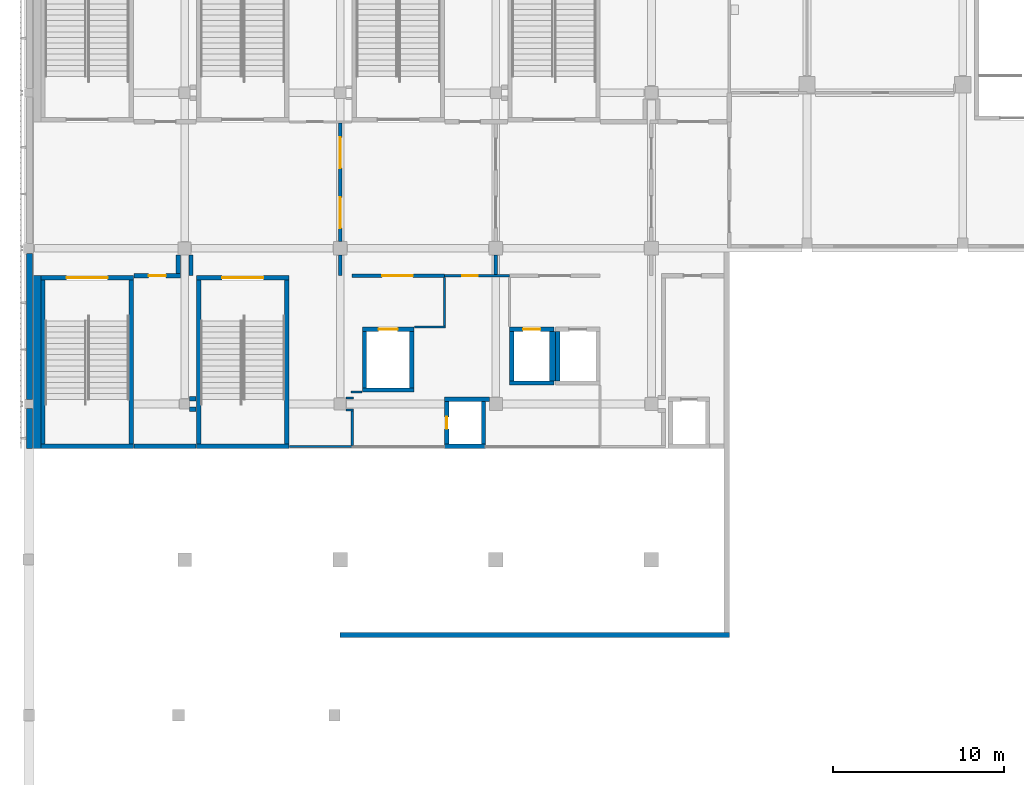
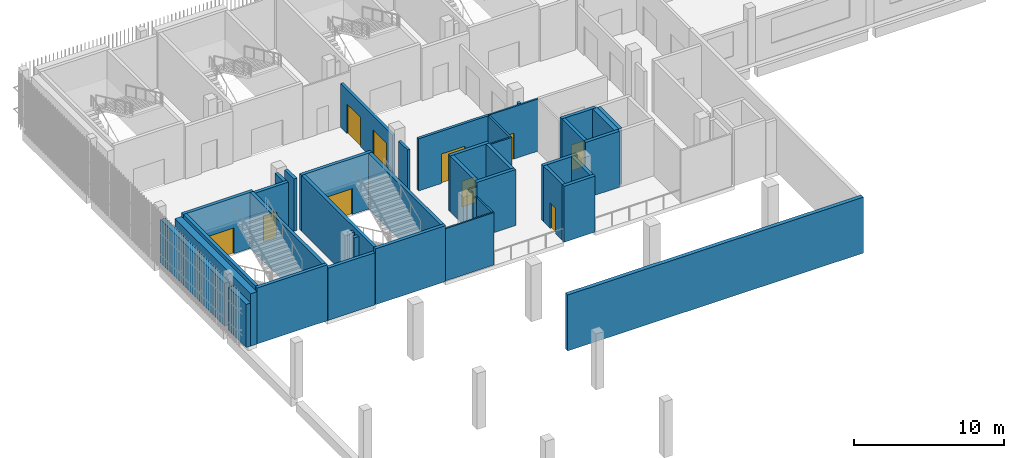
# One storey, part 60 of 104: 43 walls, 10 doors, 10 openings.
"""IFC4 building model written with IfcOpenShell, lengths in metres."""

import ifcopenshell
import ifcopenshell.guid

model = None  # the IFC model being written
_history = None  # IfcOwnerHistory: only IFC2X3 demands one
_inside = {}  # id of a spatial element -> (the spatial element, [elements in it])
_under = {}  # id of a project, library or spatial element -> (it, [spatial elements below it])
_declared = {}  # id of a project -> (the project, [libraries it declares])
_typed = {}  # id of a type object -> (the type object, [elements of that type])
_made_of = {}  # id of a material, layer set ... -> (it, [elements and type objects made of it])


def new_model(schema):
    """Start an empty IFC model of exactly this schema.

    Asked for "IFC4X3", IfcOpenShell would pick the latest addendum, in which some entities
    have other attributes; the version numbers below select the first issue.
    IFC2X3 requires an IfcOwnerHistory on every rooted entity: one is made here for all.
    """
    global model, _history
    if schema == "IFC4X3":
        model = ifcopenshell.file(schema_version=(4, 3, 0, 0))
    else:
        model = ifcopenshell.file(schema=schema)
    _inside.clear()
    _under.clear()
    _declared.clear()
    _typed.clear()
    _made_of.clear()
    _history = None
    if model.schema == "IFC2X3":
        org = make("IfcOrganization", Name="unknown")
        user = make(
            "IfcPersonAndOrganization",
            ThePerson=make("IfcPerson", FamilyName="unknown"),
            TheOrganization=org,
        )
        app = make(
            "IfcApplication",
            ApplicationDeveloper=org,
            Version="unknown",
            ApplicationFullName="unknown",
            ApplicationIdentifier="unknown",
        )
        _history = make(
            "IfcOwnerHistory",
            OwningUser=user,
            OwningApplication=app,
            ChangeAction="ADDED",
            CreationDate=0,
        )
    return model


def make(cls, **values):
    """One entity of the class cls with the attributes given. An attribute that is None is left unset."""
    return model.create_entity(
        cls, **{name: value for name, value in values.items() if value is not None}
    )


def rooted(cls, **values):
    """An entity with a GlobalId (a new one), such as an element, a storey or a relation."""
    return make(cls, GlobalId=ifcopenshell.guid.new(), OwnerHistory=_history, **values)


def si_unit(unit_type, name, prefix=None):
    """IfcSIUnit, for example si_unit("LENGTHUNIT", "METRE", prefix="MILLI")."""
    return make("IfcSIUnit", UnitType=unit_type, Prefix=prefix, Name=name)


def assignment(units):
    """IfcUnitAssignment: the units of a project."""
    return None if units is None else make("IfcUnitAssignment", Units=units)


def point(xyz):
    """IfcCartesianPoint."""
    return None if xyz is None else make("IfcCartesianPoint", Coordinates=xyz)


def direction(xyz):
    """IfcDirection."""
    return None if xyz is None else make("IfcDirection", DirectionRatios=xyz)


def frame(location, z_axis=None, x_axis=None):
    """IfcAxis2Placement3D, a coordinate frame: its origin and axes. An axis left out is left unset."""
    return make(
        "IfcAxis2Placement3D",
        Location=point(location),
        Axis=direction(z_axis),
        RefDirection=direction(x_axis),
    )


def frame_2d(location, x_axis=None):
    """IfcAxis2Placement2D, a coordinate frame in the plane: its origin and x axis."""
    return make(
        "IfcAxis2Placement2D", Location=point(location), RefDirection=direction(x_axis)
    )


def origin():
    """The frame at (0, 0, 0) with its axes left unset."""
    return frame((0.0, 0.0, 0.0))


def place(relative_to, where):
    """IfcLocalPlacement: puts the frame where relative to a parent placement (None: the world)."""
    return make(
        "IfcLocalPlacement", PlacementRelTo=relative_to, RelativePlacement=where
    )


def context(
    kind, dimensions, precision=None, world=None, true_north=None, identifier=None
):
    """IfcGeometricRepresentationContext, for example the 3D "Model" context."""
    return make(
        "IfcGeometricRepresentationContext",
        ContextIdentifier=identifier,
        ContextType=kind,
        CoordinateSpaceDimension=dimensions,
        Precision=precision,
        WorldCoordinateSystem=world,
        TrueNorth=true_north,
    )


def subcontext(parent, identifier, kind, view, scale=None):
    """IfcGeometricRepresentationSubContext, for example "Body" below "Model"."""
    return make(
        "IfcGeometricRepresentationSubContext",
        ContextIdentifier=identifier,
        ContextType=kind,
        ParentContext=parent,
        TargetScale=scale,
        TargetView=view,
    )


def project(units=None, contexts=None):
    """IfcProject with its units and contexts."""
    return rooted(
        "IfcProject",
        Name="project",
        RepresentationContexts=contexts,
        UnitsInContext=assignment(units),
    )


def spatial(cls, under=None, at=None, **own):
    """A site, building, storey or space (cls), placed at a placement, below another one or the project."""
    s = rooted(cls, ObjectPlacement=at, **own)
    if under is not None:
        _under.setdefault(under.id(), (under, []))[1].append(s)
    return s


def profile(cls, at=None, kind="AREA", **sizes):
    """A parametric profile (cls). Its sizes go by their IFC names, for example OverallWidth=200.0."""
    return make(cls, ProfileType=kind, Position=at, **sizes)


def rectangle(**sizes):
    """IfcRectangleProfileDef."""
    return profile("IfcRectangleProfileDef", **sizes)


def extrude(swept, where, along, depth):
    """IfcExtrudedAreaSolid: the profile swept, set in the frame where, extruded along a direction by depth."""
    return make(
        "IfcExtrudedAreaSolid",
        SweptArea=swept,
        Position=where,
        ExtrudedDirection=direction(along),
        Depth=depth,
    )


def shape(context_of_items, identifier, shape_type, items):
    """IfcShapeRepresentation: the items that make up one representation, for example the "Body"."""
    return make(
        "IfcShapeRepresentation",
        ContextOfItems=context_of_items,
        RepresentationIdentifier=identifier,
        RepresentationType=shape_type,
        Items=items,
    )


def material(Name=None, Category=None):
    """IfcMaterial."""
    return make("IfcMaterial", Name=Name, Category=Category)


def layer(
    of_material, thickness, ventilated=None, Name=None, Category=None, Priority=None
):
    """IfcMaterialLayer: one layer of a wall or slab, of a material (None: an air gap)."""
    return make(
        "IfcMaterialLayer",
        Material=of_material,
        LayerThickness=thickness,
        IsVentilated=ventilated,
        Name=Name,
        Category=Category,
        Priority=Priority,
    )


def layer_set(layers, Name=None):
    """IfcMaterialLayerSet."""
    return make("IfcMaterialLayerSet", MaterialLayers=layers, LayerSetName=Name)


def made_of(thing, what):
    """Note that an element or type object is made of a material, layer set ...; save() writes the relation."""
    if what is not None:
        _made_of.setdefault(what.id(), (what, []))[1].append(thing)
    return thing


def type_object(cls, material=None, **own):
    """A type object (cls), such as IfcWallType, which elements share."""
    return made_of(rooted(cls, **own), material)


def element(
    cls,
    number,
    at=None,
    inside=None,
    cuts=None,
    type_object=None,
    material=None,
    context=None,
    identifier="Body",
    shape_type=None,
    held_by="IfcProductDefinitionShape",
    body=None,
    shapes=None,
    **own,
):
    """One element of the class cls, such as IfcWall. Its Tag is "e" and its number.

    at: its placement. inside: the storey or other place that contains it. cuts: it is an
    opening in that element (IfcRelVoidsElement). A single representation is given by context,
    identifier, shape_type and body (its items); several are given by shapes. held_by: the class
    of the entity that holds the representations. save() writes the other relations.
    """
    e = rooted(cls, Tag="e%d" % number, ObjectPlacement=at, **own)
    if body is not None:
        shapes = [shape(context, identifier, shape_type, body)]
    if shapes is not None:
        e.Representation = make(held_by, Representations=shapes)
    if inside is not None:
        _inside.setdefault(inside.id(), (inside, []))[1].append(e)
    if cuts is not None:
        rooted(
            "IfcRelVoidsElement", RelatingBuildingElement=cuts, RelatedOpeningElement=e
        )
    if type_object is not None:
        _typed.setdefault(type_object.id(), (type_object, []))[1].append(e)
    return made_of(e, material)


def fill(opening, filler):
    """IfcRelFillsElement: the door or window that sits in an opening."""
    return rooted(
        "IfcRelFillsElement",
        RelatingOpeningElement=opening,
        RelatedBuildingElement=filler,
    )


def aggregate(whole, parts):
    """IfcRelAggregates: a whole, such as a stair, and the parts it consists of."""
    return rooted("IfcRelAggregates", RelatingObject=whole, RelatedObjects=parts)


def save(model, path):
    """Write the relations noted so far, then the file.

    IfcRelAggregates (storeys below a building ...), IfcRelContainedInSpatialStructure (elements
    in a storey), IfcRelDefinesByType, IfcRelAssociatesMaterial and IfcRelDeclares: one each for
    every whole, place, type object, material and project.
    """
    for whole, parts in _under.values():
        aggregate(whole, parts)
    for where, things in _inside.values():
        rooted(
            "IfcRelContainedInSpatialStructure",
            RelatedElements=things,
            RelatingStructure=where,
        )
    for kind, things in _typed.values():
        rooted("IfcRelDefinesByType", RelatedObjects=things, RelatingType=kind)
    for what, things in _made_of.values():
        rooted("IfcRelAssociatesMaterial", RelatedObjects=things, RelatingMaterial=what)
    for by, libraries in _declared.values():
        rooted("IfcRelDeclares", RelatingContext=by, RelatedDefinitions=libraries)
    model.write(path)


model = new_model("IFC4")

# Units and contexts
model_context = context("Model", 3, precision=1e-05, world=origin(), true_north=direction((0.0, 1.0)))
body_context = subcontext(model_context, "Body", "Model", "MODEL_VIEW")
ifc_project = project(units=[si_unit("LENGTHUNIT", "METRE"), si_unit("AREAUNIT", "SQUARE_METRE"), si_unit("VOLUMEUNIT", "CUBIC_METRE"), si_unit("PLANEANGLEUNIT", "RADIAN"), si_unit("MASSUNIT", "GRAM", prefix="KILO")], contexts=[model_context])

# Site, building, storey
site_placement = place(None, origin())
site = spatial("IfcSite", under=ifc_project, at=site_placement, CompositionType="ELEMENT")
building_placement = place(site_placement, origin())
building = spatial("IfcBuilding", under=site, at=building_placement, Name="Shirokan Park Arena", CompositionType="ELEMENT")
storey_placement = place(building_placement, frame((0.0, 0.0, 10.919921875)))
storey = spatial("IfcBuildingStorey", under=building, at=storey_placement, Name="L02", CompositionType="ELEMENT", Elevation=10.919921875)

# Wall
ifc_material_1 = material(Name="Plaster")
ifc_layer_1 = layer(ifc_material_1, 0.014892578125, Name="Plaster")
ifc_material_2 = material(Name="Concrete blockwork", Category="masonry")
ifc_layer_2 = layer(ifc_material_2, 0.219970703125, Name="Concrete blockwork 220")
ifc_layer_3 = layer(ifc_material_1, 0.014892578125, Name="Plaster")
ifc_layer_set_1 = layer_set([ifc_layer_1, ifc_layer_2, ifc_layer_3], Name="Plaster + Concrete blockwork 220")
wall_type_1 = type_object("IfcWallType", Name="Compartment wall 250", PredefinedType="SOLIDWALL", material=ifc_layer_set_1)
wall_1_placement = place(storey_placement, frame((8.72509765625, 90.625, 0.0), z_axis=(0.0, 0.0, 1.0), x_axis=(0.0, -1.0, 0.0)))
element("IfcWall", 1, at=wall_1_placement, inside=storey, type_object=wall_type_1, Name="Compartment wall 250 L02", PredefinedType="SOLIDWALL", context=body_context, shape_type="SweptSolid", body=[
    extrude(rectangle(XDim=1.10009765625, YDim=0.25, at=frame_2d((0.550048828125, 0.0))), origin(), (0.0, 0.0, 1.0), 4.25),
])

# Wall, opening, door
wall_2_placement = place(storey_placement, frame((8.85009765625, 89.39990234375, 0.0), z_axis=(0.0, 0.0, 1.0), x_axis=(-1.0, 0.0, 0.0)))
wall_2 = element("IfcWall", 2, at=wall_2_placement, inside=storey, type_object=wall_type_1, Name="Compartment wall 250 L02", PredefinedType="SOLIDWALL", context=body_context, shape_type="SweptSolid", body=[
    extrude(rectangle(XDim=2.72021484375, YDim=0.25, at=frame_2d((1.360107421875, 0.0))), origin(), (0.0, 0.0, 1.0), 4.25),
])
opening_1_placement = place(wall_2_placement, frame((0.85009765625, 0.0, 0.0)))
opening_1 = element("IfcOpeningElement", 3, at=opening_1_placement, cuts=wall_2, Name="Opening D-2024", PredefinedType="OPENING", context=body_context, shape_type="SweptSolid", body=[
    extrude(rectangle(XDim=1.0, YDim=2.10009765625, at=frame_2d((0.5, 1.050048828125))), frame((0.0, 0.135009765625, 0.0), z_axis=(0.0, -1.0, 0.0), x_axis=(1.0, 0.0, 0.0)), (0.0, 0.0, 1.0), 0.27001953125),
])
ifc_material_3 = material(Name="Timber door set, fire resisting", Category="wood")
door_type_1 = type_object("IfcDoorType", Name="Door 1000 x 2100", OperationType="SINGLE_SWING_LEFT", PredefinedType="DOOR", material=ifc_material_3)
door_1_placement = place(opening_1_placement, origin())
door_1 = element("IfcDoor", 4, at=door_1_placement, inside=storey, type_object=door_type_1, Name="Door to Club Linen Store 2.47 D-2024", OperationType="SINGLE_SWING_RIGHT", OverallHeight=2.10009765625, OverallWidth=1.0, PredefinedType="DOOR", context=body_context, shape_type="SweptSolid", body=[
    extrude(rectangle(XDim=1.0, YDim=2.10009765625, at=frame_2d((0.5, 1.050048828125))), frame((0.0, 0.02490234375, 0.0), z_axis=(0.0, -1.0, 0.0), x_axis=(1.0, 0.0, 0.0)), (0.0, 0.0, 1.0), 0.050048828125),
])
fill(opening_1, door_1)

# Walls
wall_3_placement = place(storey_placement, frame((9.39990234375, 81.60009765625, 0.0), z_axis=(0.0, 0.0, 1.0), x_axis=(1.0, 0.0, 0.0)))
element("IfcWall", 5, at=wall_3_placement, inside=storey, type_object=wall_type_1, Name="Compartment wall 250 L02", PredefinedType="SOLIDWALL", context=body_context, shape_type="SweptSolid", body=[
    extrude(rectangle(XDim=0.3701171875, YDim=0.25, at=frame_2d((0.18505859375, 0.0))), origin(), (0.0, 0.0, 1.0), 4.25),
])
wall_4_placement = place(storey_placement, frame((9.47509765625, 89.39990234375, 0.0), z_axis=(0.0, 0.0, 1.0), x_axis=(0.0, 1.0, 0.0)))
element("IfcWall", 6, at=wall_4_placement, inside=storey, type_object=wall_type_1, Name="Compartment wall 250 L02", PredefinedType="SOLIDWALL", context=body_context, shape_type="SweptSolid", body=[
    extrude(rectangle(XDim=1.22509765625, YDim=0.25, at=frame_2d((0.612548828125, 0.0))), origin(), (0.0, 0.0, 1.0), 4.25),
])
wall_5_placement = place(storey_placement, frame((9.77001953125, 79.425048828125, 0.0), z_axis=(0.0, 0.0, 1.0), x_axis=(-1.0, 0.0, 0.0)))
element("IfcWall", 7, at=wall_5_placement, inside=storey, type_object=wall_type_1, Name="Compartment wall 250 L02", PredefinedType="SOLIDWALL", context=body_context, shape_type="SweptSolid", body=[
    extrude(rectangle(XDim=3.64013671875, YDim=0.25, at=frame_2d((1.820068359375, 0.0))), origin(), (0.0, 0.0, 1.0), 4.25),
])
wall_6_placement = place(storey_placement, frame((9.77001953125, 82.199951171875, 0.0), z_axis=(0.0, 0.0, 1.0), x_axis=(-1.0, 0.0, 0.0)))
element("IfcWall", 8, at=wall_6_placement, inside=storey, type_object=wall_type_1, Name="Compartment wall 250 L02", PredefinedType="SOLIDWALL", context=body_context, shape_type="SweptSolid", body=[
    extrude(rectangle(XDim=0.3701171875, YDim=0.25, at=frame_2d((0.18505859375, 0.0))), origin(), (0.0, 0.0, 1.0), 4.25),
])
ifc_material_4 = material(Name="Gypsum board")
ifc_layer_4 = layer(ifc_material_4, 0.02490234375, Name="Gypsum board, two layers")
ifc_material_5 = material(Name="Mineral wool insulation")
ifc_layer_5 = layer(ifc_material_5, 0.14990234375, Name="Mineral wool insulation")
ifc_layer_6 = layer(ifc_material_4, 0.02490234375, Name="Gypsum board, two layers")
ifc_layer_set_2 = layer_set([ifc_layer_4, ifc_layer_5, ifc_layer_6], Name="Gypsum board, two layers + Mineral wool insulation")
wall_type_2 = type_object("IfcWallType", Name="Corridor wall 200", PredefinedType="PARTITIONING", material=ifc_layer_set_2)
wall_7_placement = place(storey_placement, frame((18.199951171875, 90.60009765625, 0.0), z_axis=(0.0, 0.0, 1.0), x_axis=(0.0, -1.0, 0.0)))
element("IfcWall", 9, at=wall_7_placement, inside=storey, type_object=wall_type_2, Name="Corridor wall 200 L02", PredefinedType="PARTITIONING", context=body_context, shape_type="SweptSolid", body=[
    extrude(rectangle(XDim=1.2001953125, YDim=0.199951171875, at=frame_2d((0.60009765625, 0.0))), origin(), (0.0, 0.0, 1.0), 3.550048828125),
])

# Wall, openings, doors
wall_8_placement = place(storey_placement, frame((18.199951171875, 98.33740234375, 0.0), z_axis=(0.0, 0.0, 1.0), x_axis=(0.0, -1.0, 0.0)))
wall_8 = element("IfcWall", 10, at=wall_8_placement, inside=storey, type_object=wall_type_2, Name="Corridor wall 200 L02", PredefinedType="PARTITIONING", context=body_context, shape_type="SweptSolid", body=[
    extrude(rectangle(XDim=6.9375, YDim=0.199951171875, at=frame_2d((3.46875, 0.0))), origin(), (0.0, 0.0, 1.0), 3.550048828125),
])
opening_2_placement = place(wall_8_placement, frame((0.85009765625, 0.0, 0.0)))
opening_2 = element("IfcOpeningElement", 11, at=opening_2_placement, cuts=wall_8, Name="Opening D-2073", PredefinedType="OPENING", context=body_context, shape_type="SweptSolid", body=[
    extrude(rectangle(XDim=1.800048828125, YDim=2.39990234375, at=frame_2d((0.89990234375, 1.199951171875))), frame((0.0, 0.10986328125, 0.0), z_axis=(0.0, -1.0, 0.0), x_axis=(1.0, 0.0, 0.0)), (0.0, 0.0, 1.0), 0.219970703125),
])
opening_3_placement = place(wall_8_placement, frame((4.35009765625, 0.0, 0.0)))
opening_3 = element("IfcOpeningElement", 12, at=opening_3_placement, cuts=wall_8, Name="Opening D-2074", PredefinedType="OPENING", context=body_context, shape_type="SweptSolid", body=[
    extrude(rectangle(XDim=1.800048828125, YDim=2.39990234375, at=frame_2d((0.89990234375, 1.199951171875))), frame((0.0, 0.10986328125, 0.0), z_axis=(0.0, -1.0, 0.0), x_axis=(1.0, 0.0, 0.0)), (0.0, 0.0, 1.0), 0.219970703125),
])
ifc_material_6 = material(Name="Glazed steel door set, fire resisting", Category="steel")
door_type_2 = type_object("IfcDoorType", Name="Lift lobby door 1800 x 2400", OperationType="DOUBLE_DOOR_SINGLE_SWING", PredefinedType="DOOR", material=ifc_material_6)
door_2_placement = place(opening_2_placement, origin())
door_2 = element("IfcDoor", 13, at=door_2_placement, inside=storey, type_object=door_type_2, Name="Door between Club Foyer 4.2.1 and Club Reception 4.2.2 D-2073", OperationType="DOUBLE_DOOR_SINGLE_SWING", OverallHeight=2.39990234375, OverallWidth=1.800048828125, PredefinedType="DOOR", context=body_context, shape_type="SweptSolid", body=[
    extrude(rectangle(XDim=1.800048828125, YDim=2.39990234375, at=frame_2d((0.89990234375, 1.199951171875))), frame((0.0, 0.02490234375, 0.0), z_axis=(0.0, -1.0, 0.0), x_axis=(1.0, 0.0, 0.0)), (0.0, 0.0, 1.0), 0.050048828125),
])
fill(opening_2, door_2)
door_3_placement = place(opening_3_placement, origin())
door_3 = element("IfcDoor", 14, at=door_3_placement, inside=storey, type_object=door_type_2, Name="Door between Club Foyer 4.2.1 and Club Reception 4.2.2 D-2074", OperationType="DOUBLE_DOOR_SINGLE_SWING", OverallHeight=2.39990234375, OverallWidth=1.800048828125, PredefinedType="DOOR", context=body_context, shape_type="SweptSolid", body=[
    extrude(rectangle(XDim=1.800048828125, YDim=2.39990234375, at=frame_2d((0.89990234375, 1.199951171875))), frame((0.0, 0.02490234375, 0.0), z_axis=(0.0, -1.0, 0.0), x_axis=(1.0, 0.0, 0.0)), (0.0, 0.0, 1.0), 0.050048828125),
])
fill(opening_3, door_3)

# Wall, opening, door
wall_9_placement = place(storey_placement, frame((24.300048828125, 89.39990234375, 0.0), z_axis=(0.0, 0.0, 1.0), x_axis=(-1.0, 0.0, 0.0)))
wall_9 = element("IfcWall", 15, at=wall_9_placement, inside=storey, type_object=wall_type_2, Name="Corridor wall 200 L02", PredefinedType="PARTITIONING", context=body_context, shape_type="SweptSolid", body=[
    extrude(rectangle(XDim=5.400146484375, YDim=0.199951171875, at=frame_2d((2.7001953125, 0.0))), origin(), (0.0, 0.0, 1.0), 4.25),
])
opening_4_placement = place(wall_9_placement, frame((1.85009765625, 0.0, 0.0)))
opening_4 = element("IfcOpeningElement", 16, at=opening_4_placement, cuts=wall_9, Name="Opening D-2077", PredefinedType="OPENING", context=body_context, shape_type="SweptSolid", body=[
    extrude(rectangle(XDim=1.800048828125, YDim=2.39990234375, at=frame_2d((0.89990234375, 1.199951171875))), frame((0.0, 0.10986328125, 0.0), z_axis=(0.0, -1.0, 0.0), x_axis=(1.0, 0.0, 0.0)), (0.0, 0.0, 1.0), 0.219970703125),
])
door_4_placement = place(opening_4_placement, origin())
door_4 = element("IfcDoor", 17, at=door_4_placement, inside=storey, type_object=door_type_2, Name="Door between Club Reception 4.2.2 and Service Lift Lobby 4.2 D-2077", OperationType="DOUBLE_DOOR_SINGLE_SWING", OverallHeight=2.39990234375, OverallWidth=1.800048828125, PredefinedType="DOOR", context=body_context, shape_type="SweptSolid", body=[
    extrude(rectangle(XDim=1.800048828125, YDim=2.39990234375, at=frame_2d((0.89990234375, 1.199951171875))), frame((0.0, 0.02490234375, 0.0), z_axis=(0.0, -1.0, 0.0), x_axis=(1.0, 0.0, 0.0)), (0.0, 0.0, 1.0), 0.050048828125),
])
fill(opening_4, door_4)

# Walls
wall_10_placement = place(storey_placement, frame((27.300048828125, 90.60009765625, 0.0), z_axis=(0.0, 0.0, 1.0), x_axis=(0.0, -1.0, 0.0)))
element("IfcWall", 18, at=wall_10_placement, inside=storey, type_object=wall_type_2, Name="Corridor wall 200 L02", PredefinedType="PARTITIONING", context=body_context, shape_type="SweptSolid", body=[
    extrude(rectangle(XDim=1.1376953125, YDim=0.199951171875, at=frame_2d((0.56884765625, 0.0))), origin(), (0.0, 0.0, 1.0), 3.550048828125),
])
ifc_material_7 = material(Name="Cedar cladding")
ifc_layer_7 = layer(ifc_material_7, 0.030029296875, Name="Cedar cladding")
ifc_layer_8 = layer(ifc_material_5, 0.10009765625, Name="Mineral wool insulation")
ifc_material_8 = material(Name="Concrete C35", Category="concrete")
ifc_layer_9 = layer(ifc_material_8, 0.199951171875, Name="Concrete C35")
ifc_material_9 = material(Name="Gypsum board lining")
ifc_layer_10 = layer(ifc_material_9, 0.02001953125, Name="Gypsum board lining")
ifc_layer_set_3 = layer_set([ifc_layer_7, ifc_layer_8, ifc_layer_9, ifc_layer_10], Name="Cedar cladding + Mineral wool insulation + Concrete C35 + Gypsum board lining")
wall_type_3 = type_object("IfcWallType", Name="Insulated tower wall 350", PredefinedType="SOLIDWALL", material=ifc_layer_set_3)
wall_11_placement = place(storey_placement, frame((0.02490234375, 90.699951171875, 0.0), z_axis=(0.0, 0.0, 1.0), x_axis=(0.0, -1.0, 0.0)))
element("IfcWall", 19, at=wall_11_placement, inside=storey, type_object=wall_type_3, Name="West facade wall bay 3 L02", PredefinedType="SOLIDWALL", context=body_context, shape_type="SweptSolid", body=[
    extrude(rectangle(XDim=8.550048828125, YDim=0.35009765625, at=frame_2d((4.27490234375, 0.0))), origin(), (0.0, 0.0, 1.0), 3.5),
])
wall_12_placement = place(storey_placement, frame((0.02490234375, 81.64990234375, 0.0), z_axis=(0.0, 0.0, 1.0), x_axis=(0.0, -1.0, 0.0)))
element("IfcWall", 20, at=wall_12_placement, inside=storey, type_object=wall_type_3, Name="West facade wall bay 4 L02", PredefinedType="SOLIDWALL", context=body_context, shape_type="SweptSolid", body=[
    extrude(rectangle(XDim=2.349853515625, YDim=0.35009765625, at=frame_2d((1.1748046875, 0.0))), origin(), (0.0, 0.0, 1.0), 3.5),
])
ifc_layer_11 = layer(ifc_material_8, 0.300048828125)
ifc_layer_set_4 = layer_set([ifc_layer_11], Name="Concrete C35 300 mm")
wall_type_4 = type_object("IfcWallType", Name="RC flank wall 300", PredefinedType="SHEAR", material=ifc_layer_set_4)
wall_13_placement = place(storey_placement, frame((40.949951171875, 68.39990234375, 0.0), z_axis=(0.0, 0.0, 1.0), x_axis=(-1.0, 0.0, 0.0)))
element("IfcWall", 21, at=wall_13_placement, inside=storey, type_object=wall_type_4, Name="Flank wall W2 L02", PredefinedType="SHEAR", context=body_context, shape_type="SweptSolid", body=[
    extrude(rectangle(XDim=22.75, YDim=0.300048828125, at=frame_2d((11.375, 0.0))), origin(), (0.0, 0.0, 1.0), 4.550048828125),
])
ifc_material_10 = material(Name="Concrete C40/50", Category="concrete")
ifc_layer_12 = layer(ifc_material_10, 0.25)
ifc_layer_set_5 = layer_set([ifc_layer_12], Name="Concrete C40/50 250 mm")
wall_type_5 = type_object("IfcWallType", Name="RC shear wall 250", PredefinedType="SHEAR", material=ifc_layer_set_5)
wall_14_placement = place(storey_placement, frame((30.699951171875, 83.125, 0.0), z_axis=(0.0, 0.0, 1.0), x_axis=(-1.0, 0.0, 0.0)))
element("IfcWall", 22, at=wall_14_placement, inside=storey, type_object=wall_type_5, Name="Shaft wall Passenger Lift 4.1 S L02", PredefinedType="SHEAR", context=body_context, shape_type="SweptSolid", body=[
    extrude(rectangle(XDim=2.599853515625, YDim=0.25, at=frame_2d((1.2998046875, 0.0))), origin(), (0.0, 0.0, 1.0), 4.550048828125),
])

# Wall, opening, door
wall_15_placement = place(storey_placement, frame((30.699951171875, 86.27490234375, 0.0), z_axis=(0.0, 0.0, 1.0), x_axis=(-1.0, 0.0, 0.0)))
wall_15 = element("IfcWall", 23, at=wall_15_placement, inside=storey, type_object=wall_type_5, Name="Shaft wall Passenger Lift 4.1 N L02", PredefinedType="SHEAR", context=body_context, shape_type="SweptSolid", body=[
    extrude(rectangle(XDim=2.599853515625, YDim=0.25, at=frame_2d((1.2998046875, 0.0))), origin(), (0.0, 0.0, 1.0), 4.550048828125),
])
opening_5_placement = place(wall_15_placement, frame((0.800048828125, 0.0, 0.0)))
opening_5 = element("IfcOpeningElement", 24, at=opening_5_placement, cuts=wall_15, Name="Opening LD39", PredefinedType="OPENING", context=body_context, shape_type="SweptSolid", body=[
    extrude(rectangle(XDim=1.0, YDim=2.10009765625, at=frame_2d((0.5, 1.050048828125))), frame((0.0, 0.135009765625, 0.0), z_axis=(0.0, -1.0, 0.0), x_axis=(1.0, 0.0, 0.0)), (0.0, 0.0, 1.0), 0.27001953125),
])
ifc_material_11 = material(Name="Stainless steel", Category="steel")
door_type_3 = type_object("IfcDoorType", Name="Lift landing door 1000x2100", OperationType="DOUBLE_DOOR_SLIDING", PredefinedType="DOOR", material=ifc_material_11)
door_5_placement = place(opening_5_placement, origin())
door_5 = element("IfcDoor", 25, at=door_5_placement, inside=storey, type_object=door_type_3, Name="Lift landing door Passenger Lift 4.1 L02", OperationType="DOUBLE_DOOR_SLIDING", OverallHeight=2.10009765625, OverallWidth=1.0, PredefinedType="DOOR", context=body_context, shape_type="SweptSolid", body=[
    extrude(rectangle(XDim=1.0, YDim=2.10009765625, at=frame_2d((0.5, 1.050048828125))), frame((0.0, 0.02490234375, 0.0), z_axis=(0.0, -1.0, 0.0), x_axis=(1.0, 0.0, 0.0)), (0.0, 0.0, 1.0), 0.050048828125),
])
fill(opening_5, door_5)

# Walls
for number, where, z_axis, x_axis, name in (
    (26, (28.22509765625, 86.14990234375, 0.0), (0.0, 0.0, 1.0), (0.0, -1.0, 0.0), "Shaft wall Passenger Lift 4.1 W L02"),
    (27, (30.925048828125, 86.14990234375, 0.0), (0.0, 0.0, 1.0), (0.0, -1.0, 0.0), "Shaft wall Passenger Lift 4.2 W L02"),
):
    element("IfcWall", number, at=place(storey_placement, frame(where, z_axis=z_axis, x_axis=x_axis)), inside=storey, type_object=wall_type_5, Name=name, PredefinedType="SHEAR", context=body_context, shape_type="SweptSolid", body=[
        extrude(rectangle(XDim=2.89990234375, YDim=0.25, at=frame_2d((1.449951171875, 0.0))), origin(), (0.0, 0.0, 1.0), 4.550048828125),
    ])
wall_16_placement = place(storey_placement, frame((26.699951171875, 79.425048828125, 0.0), z_axis=(0.0, 0.0, 1.0), x_axis=(-1.0, 0.0, 0.0)))
element("IfcWall", 28, at=wall_16_placement, inside=storey, type_object=wall_type_5, Name="Shaft wall Services Riser 4.2 S L02", PredefinedType="SHEAR", context=body_context, shape_type="SweptSolid", body=[
    extrude(rectangle(XDim=2.39990234375, YDim=0.25, at=frame_2d((1.199951171875, 0.0))), origin(), (0.0, 0.0, 1.0), 4.550048828125),
])
wall_17_placement = place(storey_placement, frame((26.925048828125, 82.175048828125, 0.0), z_axis=(0.0, 0.0, 1.0), x_axis=(-1.0, 0.0, 0.0)))
element("IfcWall", 29, at=wall_17_placement, inside=storey, type_object=wall_type_5, Name="Shaft wall Services Riser 4.2 N L02", PredefinedType="SHEAR", context=body_context, shape_type="SweptSolid", body=[
    extrude(rectangle(XDim=2.625, YDim=0.25, at=frame_2d((1.3125, 0.0))), origin(), (0.0, 0.0, 1.0), 4.550048828125),
])

# Wall, opening, door
wall_18_placement = place(storey_placement, frame((24.425048828125, 82.050048828125, 0.0), z_axis=(0.0, 0.0, 1.0), x_axis=(0.0, -1.0, 0.0)))
wall_18 = element("IfcWall", 30, at=wall_18_placement, inside=storey, type_object=wall_type_5, Name="Shaft wall Services Riser 4.2 W L02", PredefinedType="SHEAR", context=body_context, shape_type="SweptSolid", body=[
    extrude(rectangle(XDim=2.5, YDim=0.25, at=frame_2d((1.25, 0.0))), origin(), (0.0, 0.0, 1.0), 4.550048828125),
])
opening_6_placement = place(wall_18_placement, frame((0.89990234375, 0.0, 0.0)))
opening_6 = element("IfcOpeningElement", 31, at=opening_6_placement, cuts=wall_18, Name="Opening D-2090", PredefinedType="OPENING", context=body_context, shape_type="SweptSolid", body=[
    extrude(rectangle(XDim=0.699951171875, YDim=2.10009765625, at=frame_2d((0.35009765625, 1.050048828125))), frame((0.0, 0.135009765625, 0.0), z_axis=(0.0, -1.0, 0.0), x_axis=(1.0, 0.0, 0.0)), (0.0, 0.0, 1.0), 0.27001953125),
])
ifc_material_12 = material(Name="Steel door set, fire resisting", Category="steel")
door_type_4 = type_object("IfcDoorType", Name="Mechanical riser door 700 x 2100", OperationType="SINGLE_SWING_LEFT", PredefinedType="DOOR", material=ifc_material_12)
door_6_placement = place(opening_6_placement, origin())
door_6 = element("IfcDoor", 32, at=door_6_placement, inside=storey, type_object=door_type_4, Name="Riser access door Services Riser 4.2 D-2090", OperationType="SINGLE_SWING_LEFT", OverallHeight=2.10009765625, OverallWidth=0.699951171875, PredefinedType="DOOR", context=body_context, shape_type="SweptSolid", body=[
    extrude(rectangle(XDim=0.699951171875, YDim=2.10009765625, at=frame_2d((0.35009765625, 1.050048828125))), frame((0.0, 0.02490234375, 0.0), z_axis=(0.0, -1.0, 0.0), x_axis=(1.0, 0.0, 0.0)), (0.0, 0.0, 1.0), 0.050048828125),
])
fill(opening_6, door_6)

# Walls
wall_19_placement = place(storey_placement, frame((26.574951171875, 82.050048828125, 0.0), z_axis=(0.0, 0.0, 1.0), x_axis=(0.0, -1.0, 0.0)))
element("IfcWall", 33, at=wall_19_placement, inside=storey, type_object=wall_type_5, Name="Shaft wall Services Riser 4.2 E L02", PredefinedType="SHEAR", context=body_context, shape_type="SweptSolid", body=[
    extrude(rectangle(XDim=2.5, YDim=0.25, at=frame_2d((1.25, 0.0))), origin(), (0.0, 0.0, 1.0), 4.550048828125),
])
wall_20_placement = place(storey_placement, frame((22.5, 82.72509765625, 0.0), z_axis=(0.0, 0.0, 1.0), x_axis=(-1.0, 0.0, 0.0)))
element("IfcWall", 34, at=wall_20_placement, inside=storey, type_object=wall_type_5, Name="Shaft wall Service Lift 4 S L02", PredefinedType="SHEAR", context=body_context, shape_type="SweptSolid", body=[
    extrude(rectangle(XDim=3.0, YDim=0.25, at=frame_2d((1.5, 0.0))), origin(), (0.0, 0.0, 1.0), 4.550048828125),
])

# Wall, opening, door
wall_21_placement = place(storey_placement, frame((22.5, 86.27490234375, 0.0), z_axis=(0.0, 0.0, 1.0), x_axis=(-1.0, 0.0, 0.0)))
wall_21 = element("IfcWall", 35, at=wall_21_placement, inside=storey, type_object=wall_type_5, Name="Shaft wall Service Lift 4 N L02", PredefinedType="SHEAR", context=body_context, shape_type="SweptSolid", body=[
    extrude(rectangle(XDim=3.0, YDim=0.25, at=frame_2d((1.5, 0.0))), origin(), (0.0, 0.0, 1.0), 4.550048828125),
])
opening_7_placement = place(wall_21_placement, frame((0.949951171875, 0.0, 0.0)))
opening_7 = element("IfcOpeningElement", 36, at=opening_7_placement, cuts=wall_21, Name="Opening LD72", PredefinedType="OPENING", context=body_context, shape_type="SweptSolid", body=[
    extrude(rectangle(XDim=1.10009765625, YDim=2.10009765625, at=frame_2d((0.550048828125, 1.050048828125))), frame((0.0, 0.135009765625, 0.0), z_axis=(0.0, -1.0, 0.0), x_axis=(1.0, 0.0, 0.0)), (0.0, 0.0, 1.0), 0.27001953125),
])
door_type_5 = type_object("IfcDoorType", Name="Lift landing door 1100x2100", OperationType="DOUBLE_DOOR_SLIDING", PredefinedType="DOOR", material=ifc_material_11)
door_7_placement = place(opening_7_placement, origin())
door_7 = element("IfcDoor", 37, at=door_7_placement, inside=storey, type_object=door_type_5, Name="Lift landing door Service Lift 4 L02", OperationType="DOUBLE_DOOR_SLIDING", OverallHeight=2.10009765625, OverallWidth=1.10009765625, PredefinedType="DOOR", context=body_context, shape_type="SweptSolid", body=[
    extrude(rectangle(XDim=1.10009765625, YDim=2.10009765625, at=frame_2d((0.550048828125, 1.050048828125))), frame((0.0, 0.02490234375, 0.0), z_axis=(0.0, -1.0, 0.0), x_axis=(1.0, 0.0, 0.0)), (0.0, 0.0, 1.0), 0.050048828125),
])
fill(opening_7, door_7)

# Walls
for number, where, z_axis, x_axis, name in (
    (38, (19.625, 86.14990234375, 0.0), (0.0, 0.0, 1.0), (0.0, -1.0, 0.0), "Shaft wall Service Lift 4 W L02"),
    (39, (22.375, 86.14990234375, 0.0), (0.0, 0.0, 1.0), (0.0, -1.0, 0.0), "Shaft wall Service Lift 4 E L02"),
):
    element("IfcWall", number, at=place(storey_placement, frame(where, z_axis=z_axis, x_axis=x_axis)), inside=storey, type_object=wall_type_5, Name=name, PredefinedType="SHEAR", context=body_context, shape_type="SweptSolid", body=[
        extrude(rectangle(XDim=3.2998046875, YDim=0.25, at=frame_2d((1.64990234375, 0.0))), origin(), (0.0, 0.0, 1.0), 4.550048828125),
    ])
wall_22_placement = place(storey_placement, frame((6.10009765625, 79.425048828125, 0.0), z_axis=(0.0, 0.0, 1.0), x_axis=(-1.0, 0.0, 0.0)))
element("IfcWall", 40, at=wall_22_placement, inside=storey, type_object=wall_type_5, Name="Shaft wall Exit Stair 4.E S L02", PredefinedType="SHEAR", context=body_context, shape_type="SweptSolid", body=[
    extrude(rectangle(XDim=5.400146484375, YDim=0.25, at=frame_2d((2.7001953125, 0.0))), origin(), (0.0, 0.0, 1.0), 4.550048828125),
])

# Wall, opening, door
wall_23_placement = place(storey_placement, frame((6.10009765625, 89.27490234375, 0.0), z_axis=(0.0, 0.0, 1.0), x_axis=(-1.0, 0.0, 0.0)))
wall_23 = element("IfcWall", 41, at=wall_23_placement, inside=storey, type_object=wall_type_5, Name="Shaft wall Exit Stair 4.E N L02", PredefinedType="SHEAR", context=body_context, shape_type="SweptSolid", body=[
    extrude(rectangle(XDim=5.400146484375, YDim=0.25, at=frame_2d((2.7001953125, 0.0))), origin(), (0.0, 0.0, 1.0), 4.550048828125),
])
opening_8_placement = place(wall_23_placement, frame((1.5, 0.0, 0.0)))
opening_8 = element("IfcOpeningElement", 42, at=opening_8_placement, cuts=wall_23, Name="Opening D-2104", PredefinedType="OPENING", context=body_context, shape_type="SweptSolid", body=[
    extrude(rectangle(XDim=2.39990234375, YDim=2.10009765625, at=frame_2d((1.199951171875, 1.050048828125))), frame((0.0, 0.135009765625, 0.0), z_axis=(0.0, -1.0, 0.0), x_axis=(1.0, 0.0, 0.0)), (0.0, 0.0, 1.0), 0.27001953125),
])
door_type_6 = type_object("IfcDoorType", Name="Stair door 2400 x 2100", OperationType="DOUBLE_DOOR_SINGLE_SWING", PredefinedType="DOOR", material=ifc_material_12)
door_8_placement = place(opening_8_placement, origin())
door_8 = element("IfcDoor", 43, at=door_8_placement, inside=storey, type_object=door_type_6, Name="Stair door Exit Stair 4.E D-2104", OperationType="DOUBLE_DOOR_SINGLE_SWING", OverallHeight=2.10009765625, OverallWidth=2.39990234375, PredefinedType="DOOR", context=body_context, shape_type="SweptSolid", body=[
    extrude(rectangle(XDim=2.39990234375, YDim=2.10009765625, at=frame_2d((1.199951171875, 1.050048828125))), frame((0.0, 0.02490234375, 0.0), z_axis=(0.0, -1.0, 0.0), x_axis=(1.0, 0.0, 0.0)), (0.0, 0.0, 1.0), 0.050048828125),
])
fill(opening_8, door_8)

# Walls
for number, where, z_axis, x_axis, name in (
    (44, (0.824951171875, 89.14990234375, 0.0), (0.0, 0.0, 1.0), (0.0, -1.0, 0.0), "Shaft wall Exit Stair 4.E W L02"),
    (45, (5.97509765625, 89.14990234375, 0.0), (0.0, 0.0, 1.0), (0.0, -1.0, 0.0), "Shaft wall Exit Stair 4.E E L02"),
):
    element("IfcWall", number, at=place(storey_placement, frame(where, z_axis=z_axis, x_axis=x_axis)), inside=storey, type_object=wall_type_5, Name=name, PredefinedType="SHEAR", context=body_context, shape_type="SweptSolid", body=[
        extrude(rectangle(XDim=9.599853515625, YDim=0.25, at=frame_2d((4.7998046875, 0.0))), origin(), (0.0, 0.0, 1.0), 4.550048828125),
    ])
wall_24_placement = place(storey_placement, frame((15.199951171875, 79.425048828125, 0.0), z_axis=(0.0, 0.0, 1.0), x_axis=(-1.0, 0.0, 0.0)))
element("IfcWall", 46, at=wall_24_placement, inside=storey, type_object=wall_type_5, Name="Shaft wall Exit Stair 4.F S L02", PredefinedType="SHEAR", context=body_context, shape_type="SweptSolid", body=[
    extrude(rectangle(XDim=5.39990234375, YDim=0.25, at=frame_2d((2.699951171875, 0.0))), origin(), (0.0, 0.0, 1.0), 4.550048828125),
])

# Wall, opening, door
wall_25_placement = place(storey_placement, frame((15.199951171875, 89.27490234375, 0.0), z_axis=(0.0, 0.0, 1.0), x_axis=(-1.0, 0.0, 0.0)))
wall_25 = element("IfcWall", 47, at=wall_25_placement, inside=storey, type_object=wall_type_5, Name="Shaft wall Exit Stair 4.F N L02", PredefinedType="SHEAR", context=body_context, shape_type="SweptSolid", body=[
    extrude(rectangle(XDim=5.39990234375, YDim=0.25, at=frame_2d((2.699951171875, 0.0))), origin(), (0.0, 0.0, 1.0), 4.550048828125),
])
opening_9_placement = place(wall_25_placement, frame((1.5, 0.0, 0.0)))
opening_9 = element("IfcOpeningElement", 48, at=opening_9_placement, cuts=wall_25, Name="Opening D-2105", PredefinedType="OPENING", context=body_context, shape_type="SweptSolid", body=[
    extrude(rectangle(XDim=2.39990234375, YDim=2.10009765625, at=frame_2d((1.199951171875, 1.050048828125))), frame((0.0, 0.135009765625, 0.0), z_axis=(0.0, -1.0, 0.0), x_axis=(1.0, 0.0, 0.0)), (0.0, 0.0, 1.0), 0.27001953125),
])
door_9_placement = place(opening_9_placement, origin())
door_9 = element("IfcDoor", 49, at=door_9_placement, inside=storey, type_object=door_type_6, Name="Stair door Exit Stair 4.F D-2105", OperationType="DOUBLE_DOOR_SINGLE_SWING", OverallHeight=2.10009765625, OverallWidth=2.39990234375, PredefinedType="DOOR", context=body_context, shape_type="SweptSolid", body=[
    extrude(rectangle(XDim=2.39990234375, YDim=2.10009765625, at=frame_2d((1.199951171875, 1.050048828125))), frame((0.0, 0.02490234375, 0.0), z_axis=(0.0, -1.0, 0.0), x_axis=(1.0, 0.0, 0.0)), (0.0, 0.0, 1.0), 0.050048828125),
])
fill(opening_9, door_9)

# Walls
for number, where, z_axis, x_axis, name in (
    (50, (9.925048828125, 89.14990234375, 0.0), (0.0, 0.0, 1.0), (0.0, -1.0, 0.0), "Shaft wall Exit Stair 4.F W L02"),
    (51, (15.074951171875, 89.14990234375, 0.0), (0.0, 0.0, 1.0), (0.0, -1.0, 0.0), "Shaft wall Exit Stair 4.F E L02"),
):
    element("IfcWall", number, at=place(storey_placement, frame(where, z_axis=z_axis, x_axis=x_axis)), inside=storey, type_object=wall_type_5, Name=name, PredefinedType="SHEAR", context=body_context, shape_type="SweptSolid", body=[
        extrude(rectangle(XDim=9.599853515625, YDim=0.25, at=frame_2d((4.7998046875, 0.0))), origin(), (0.0, 0.0, 1.0), 4.550048828125),
    ])
ifc_layer_13 = layer(ifc_material_10, 0.35009765625)
ifc_layer_set_6 = layer_set([ifc_layer_13], Name="Concrete C40/50 350 mm")
wall_type_6 = type_object("IfcWallType", Name="RC shear wall 350", PredefinedType="SHEAR", material=ifc_layer_set_6)
wall_26_placement = place(storey_placement, frame((30.625, 86.14990234375, 0.0), z_axis=(0.0, 0.0, 1.0), x_axis=(0.0, -1.0, 0.0)))
element("IfcWall", 52, at=wall_26_placement, inside=storey, type_object=wall_type_6, Name="Shaft wall Passenger Lift 4.1 E L02", PredefinedType="SHEAR", context=body_context, shape_type="SweptSolid", body=[
    extrude(rectangle(XDim=2.89990234375, YDim=0.35009765625, at=frame_2d((1.449951171875, 0.0))), origin(), (0.0, 0.0, 1.0), 4.550048828125),
])
ifc_layer_14 = layer(ifc_material_8, 0.5)
ifc_layer_set_7 = layer_set([ifc_layer_14], Name="Concrete C35 500 mm")
wall_type_7 = type_object("IfcWallType", Name="Shaft infill wall 500", PredefinedType="SOLIDWALL", material=ifc_layer_set_7)
wall_27_placement = place(storey_placement, frame((0.449951171875, 79.300048828125, 0.0), z_axis=(0.0, 0.0, 1.0), x_axis=(0.0, 1.0, 0.0)))
element("IfcWall", 53, at=wall_27_placement, inside=storey, type_object=wall_type_7, Name="Shaft infill wall L02", PredefinedType="SOLIDWALL", context=body_context, shape_type="SweptSolid", body=[
    extrude(rectangle(XDim=10.099853515625, YDim=0.5, at=frame_2d((5.0498046875, 0.0))), origin(), (0.0, 0.0, 1.0), 4.25),
])
ifc_material_13 = material(Name="Ceramic tile")
ifc_layer_15 = layer(ifc_material_13, 0.010009765625, Name="Ceramic tile")
ifc_material_14 = material(Name="Cement board")
ifc_layer_16 = layer(ifc_material_14, 0.012451171875, Name="Cement board")
ifc_layer_17 = layer(ifc_material_5, 0.080078125, Name="Mineral wool insulation")
ifc_layer_18 = layer(ifc_material_14, 0.012451171875, Name="Cement board")
ifc_layer_19 = layer(ifc_material_13, 0.010009765625, Name="Ceramic tile")
ifc_layer_set_8 = layer_set([ifc_layer_15, ifc_layer_16, ifc_layer_17, ifc_layer_18, ifc_layer_19], Name="Ceramic tile + Cement board + Mineral wool insulation")
wall_type_8 = type_object("IfcWallType", Name="Wet-area wall 125", PredefinedType="PARTITIONING", material=ifc_layer_set_8)
wall_28_placement = place(storey_placement, frame((18.550048828125, 81.550048828125, 0.0), z_axis=(0.0, 0.0, 1.0), x_axis=(1.0, 0.0, 0.0)))
element("IfcWall", 54, at=wall_28_placement, inside=storey, type_object=wall_type_8, Name="Wet-area wall 125 L02", PredefinedType="PARTITIONING", context=body_context, shape_type="SweptSolid", body=[
    extrude(rectangle(XDim=0.412353515625, YDim=0.125, at=frame_2d((0.2060546875, 0.0))), origin(), (0.0, 0.0, 1.0), 4.25),
])
wall_29_placement = place(storey_placement, frame((18.83740234375, 82.60009765625, 0.0), z_axis=(0.0, 0.0, 1.0), x_axis=(1.0, 0.0, 0.0)))
element("IfcWall", 55, at=wall_29_placement, inside=storey, type_object=wall_type_8, Name="Wet-area wall 125 L02", PredefinedType="PARTITIONING", context=body_context, shape_type="SweptSolid", body=[
    extrude(rectangle(XDim=0.632568359375, YDim=0.125, at=frame_2d((0.31640625, 0.0))), origin(), (0.0, 0.0, 1.0), 4.25),
])
wall_30_placement = place(storey_placement, frame((18.89990234375, 81.487548828125, 0.0), z_axis=(0.0, 0.0, 1.0), x_axis=(0.0, -1.0, 0.0)))
element("IfcWall", 56, at=wall_30_placement, inside=storey, type_object=wall_type_8, Name="Wet-area wall 125 L02", PredefinedType="PARTITIONING", context=body_context, shape_type="SweptSolid", body=[
    extrude(rectangle(XDim=2.0, YDim=0.125, at=frame_2d((1.0, 0.0))), origin(), (0.0, 0.0, 1.0), 4.25),
])
wall_31_placement = place(storey_placement, frame((18.96240234375, 79.425048828125, 0.0), z_axis=(0.0, 0.0, 1.0), x_axis=(-1.0, 0.0, 0.0)))
element("IfcWall", 57, at=wall_31_placement, inside=storey, type_object=wall_type_8, Name="Wet-area wall 125 L02", PredefinedType="PARTITIONING", context=body_context, shape_type="SweptSolid", body=[
    extrude(rectangle(XDim=3.732421875, YDim=0.125, at=frame_2d((1.8662109375, 0.0))), origin(), (0.0, 0.0, 1.0), 4.25),
])
wall_32_placement = place(storey_placement, frame((18.96240234375, 82.25, 0.0), z_axis=(0.0, 0.0, 1.0), x_axis=(-1.0, 0.0, 0.0)))
element("IfcWall", 58, at=wall_32_placement, inside=storey, type_object=wall_type_8, Name="Wet-area wall 125 L02", PredefinedType="PARTITIONING", context=body_context, shape_type="SweptSolid", body=[
    extrude(rectangle(XDim=0.412353515625, YDim=0.125, at=frame_2d((0.2060546875, 0.0))), origin(), (0.0, 0.0, 1.0), 4.25),
])
wall_33_placement = place(storey_placement, frame((22.530029296875, 86.39990234375, 0.0), z_axis=(0.0, 0.0, 1.0), x_axis=(1.0, 0.0, 0.0)))
element("IfcWall", 59, at=wall_33_placement, inside=storey, type_object=wall_type_8, Name="Wet-area wall 125 L02", PredefinedType="PARTITIONING", context=body_context, shape_type="SweptSolid", body=[
    extrude(rectangle(XDim=1.83251953125, YDim=0.125, at=frame_2d((0.916259765625, 0.0))), origin(), (0.0, 0.0, 1.0), 4.25),
])
wall_34_placement = place(storey_placement, frame((24.300048828125, 86.46240234375, 0.0), z_axis=(0.0, 0.0, 1.0), x_axis=(0.0, 1.0, 0.0)))
element("IfcWall", 60, at=wall_34_placement, inside=storey, type_object=wall_type_8, Name="Wet-area wall 125 L02", PredefinedType="PARTITIONING", context=body_context, shape_type="SweptSolid", body=[
    extrude(rectangle(XDim=2.837646484375, YDim=0.125, at=frame_2d((1.4189453125, 0.0))), origin(), (0.0, 0.0, 1.0), 4.25),
])

# Wall, opening, door
wall_35_placement = place(storey_placement, frame((24.300048828125, 89.39990234375, 0.0), z_axis=(0.0, 0.0, 1.0), x_axis=(1.0, 0.0, 0.0)))
wall_35 = element("IfcWall", 61, at=wall_35_placement, inside=storey, type_object=wall_type_8, Name="Wet-area wall 125 L02", PredefinedType="PARTITIONING", context=body_context, shape_type="SweptSolid", body=[
    extrude(rectangle(XDim=3.800048828125, YDim=0.125, at=frame_2d((1.89990234375, 0.0))), origin(), (0.0, 0.0, 1.0), 4.25),
])
opening_10_placement = place(wall_35_placement, frame((1.050048828125, 0.0, 0.0)))
opening_10 = element("IfcOpeningElement", 62, at=opening_10_placement, cuts=wall_35, Name="Opening D-2025", PredefinedType="OPENING", context=body_context, shape_type="SweptSolid", body=[
    extrude(rectangle(XDim=0.89990234375, YDim=2.10009765625, at=frame_2d((0.449951171875, 1.050048828125))), frame((0.0, 0.072509765625, 0.0), z_axis=(0.0, -1.0, 0.0), x_axis=(1.0, 0.0, 0.0)), (0.0, 0.0, 1.0), 0.14501953125),
])
door_type_7 = type_object("IfcDoorType", Name="Door 900 x 2100", OperationType="SINGLE_SWING_LEFT", PredefinedType="DOOR", material=ifc_material_3)
door_10_placement = place(opening_10_placement, origin())
door_10 = element("IfcDoor", 63, at=door_10_placement, inside=storey, type_object=door_type_7, Name="Door to Staff WC 2.48 D-2025", OperationType="SINGLE_SWING_LEFT", OverallHeight=2.10009765625, OverallWidth=0.89990234375, PredefinedType="DOOR", context=body_context, shape_type="SweptSolid", body=[
    extrude(rectangle(XDim=0.89990234375, YDim=2.10009765625, at=frame_2d((0.449951171875, 1.050048828125))), frame((0.0, 0.02490234375, 0.0), z_axis=(0.0, -1.0, 0.0), x_axis=(1.0, 0.0, 0.0)), (0.0, 0.0, 1.0), 0.050048828125),
])
fill(opening_10, door_10)

save(model, "model.ifc")
